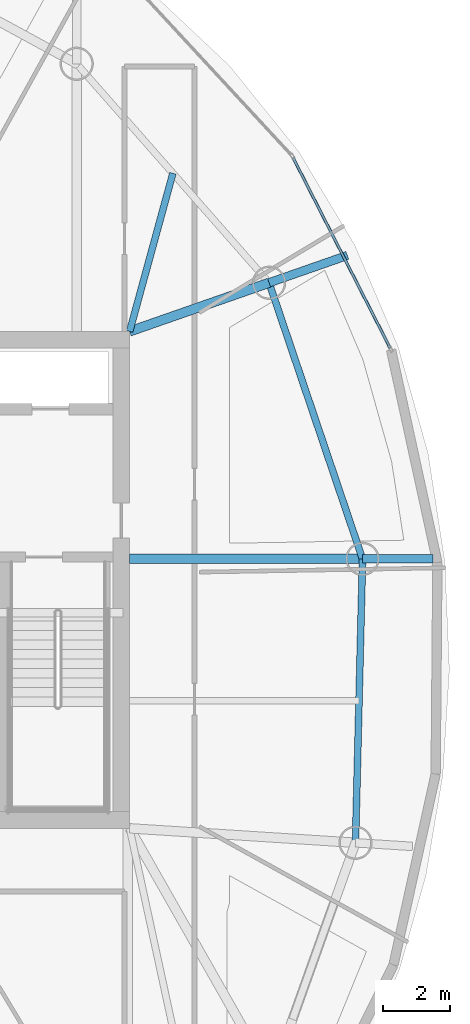
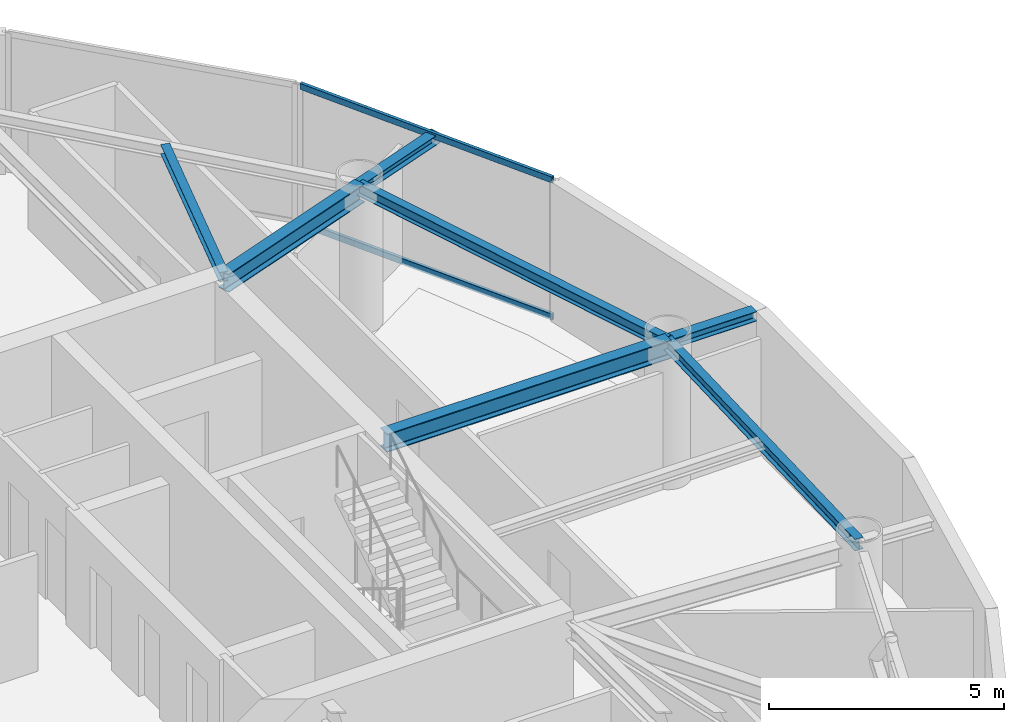
# One storey, part 10 of 22: 7 beams, 2 members, 1 element without a shape of its own.
"""IFC4 building model written with IfcOpenShell, lengths in metres."""

from ifc_helpers import new_model, si_unit, direction, frame, origin, origin_2d, place, context, subcontext, project, spatial, hollow_rectangle, i_section, extrude, material, layer, layer_set, material_profile, profile_set, type_object, element, aggregate, save


model = new_model("IFC4")

# Units and contexts
model_context = context("Model", 3, precision=1e-05, world=origin(), true_north=direction((0.0, 1.0)))
body_context = subcontext(model_context, "Body", "Model", "MODEL_VIEW")
ifc_project = project(units=[si_unit("LENGTHUNIT", "METRE"), si_unit("AREAUNIT", "SQUARE_METRE"), si_unit("VOLUMEUNIT", "CUBIC_METRE"), si_unit("PLANEANGLEUNIT", "RADIAN"), si_unit("MASSUNIT", "GRAM", prefix="KILO")], contexts=[model_context])

# Site, building, storey
site_placement = place(None, origin())
site = spatial("IfcSite", under=ifc_project, at=site_placement, CompositionType="ELEMENT")
building_placement = place(site_placement, origin())
building = spatial("IfcBuilding", under=site, at=building_placement, Name="Bramvorn Convention Spire", CompositionType="ELEMENT")
storey_placement = place(building_placement, frame((0.0, 0.0, 253.60009765625)))
storey = spatial("IfcBuildingStorey", under=building, at=storey_placement, Name="L64", CompositionType="ELEMENT", Elevation=253.60009765625)

# Beams
ifc_material_1 = material(Name="Steel CSA G40.21 Grade 350 (350W)", Category="steel")
ifc_material_profile_1 = material_profile(ifc_material_1, i_section(OverallWidth=0.201904296875, OverallDepth=0.2470703125, WebThickness=0.00732421875, FlangeThickness=0.010986328125, FilletRadius=0.011962890625, at=origin_2d()))
ifc_profile_set_1 = profile_set([ifc_material_profile_1], Name="Steel CSA G40.21 Grade 350 (350W) - W250X49")
beam_type_1 = type_object("IfcBeamType", Name="BM-W250X49", PredefinedType="JOIST", material=ifc_profile_set_1)
beam_1_placement = place(storey_placement, frame((49.25, 33.449951171875, 3.50146484375), z_axis=(0.26386506219, 0.96455960363, 0.0), x_axis=(-0.96455960363, 0.26386506219, 0.0)))
element("IfcBeam", 1, at=beam_1_placement, inside=storey, type_object=beam_type_1, Name="L64 composite floor joist 05", PredefinedType="JOIST", context=body_context, shape_type="SweptSolid", body=[
    extrude(i_section(OverallWidth=0.201904296875, OverallDepth=0.2470703125, WebThickness=0.00732421875, FlangeThickness=0.010986328125, FilletRadius=0.011962890625, at=origin_2d()), origin(), (0.0, 0.0, 1.0), 4.917724609375),
])
ifc_material_profile_2 = material_profile(ifc_material_1, i_section(OverallWidth=0.25390625, OverallDepth=0.2529296875, WebThickness=0.008544921875, FlangeThickness=0.01416015625, FilletRadius=0.011962890625, at=origin_2d()))
ifc_profile_set_2 = profile_set([ifc_material_profile_2], Name="Steel CSA G40.21 Grade 350 (350W) - W250X73")
beam_type_2 = type_object("IfcBeamType", Name="BM-W250X73", PredefinedType="BEAM", material=ifc_profile_set_2)
beam_2_placement = place(storey_placement, frame((56.234619140625, 26.62939453125, 3.498291015625), z_axis=(1.0, 0.0, 0.0), x_axis=(0.0, 1.0, 0.0)))
element("IfcBeam", 2, at=beam_2_placement, inside=storey, type_object=beam_type_2, Name="L64 slab-edge cantilever tip beam MC04", PredefinedType="BEAM", context=body_context, shape_type="SweptSolid", body=[
    extrude(i_section(OverallWidth=0.25390625, OverallDepth=0.2529296875, WebThickness=0.008544921875, FlangeThickness=0.01416015625, FilletRadius=0.011962890625, at=origin_2d()), origin(), (0.0, 0.0, 1.0), 2.117431640625),
])
beam_3_placement = place(storey_placement, frame((53.4326171875, 34.909912109375, 3.498291015625), z_axis=(0.944118440842, 0.329606385955, 0.0), x_axis=(-0.329606385955, 0.944118440842, 0.0)))
element("IfcBeam", 3, at=beam_3_placement, inside=storey, type_object=beam_type_2, Name="L64 slab-edge cantilever tip beam MC05", PredefinedType="BEAM", context=body_context, shape_type="SweptSolid", body=[
    extrude(i_section(OverallWidth=0.25390625, OverallDepth=0.2529296875, WebThickness=0.008544921875, FlangeThickness=0.01416015625, FilletRadius=0.011962890625, at=origin_2d()), origin(), (0.0, 0.0, 1.0), 2.485107421875),
])
ifc_material_profile_3 = material_profile(ifc_material_1, i_section(OverallWidth=0.202880859375, OverallDepth=0.302978515625, WebThickness=0.007568359375, FlangeThickness=0.01318359375, FilletRadius=0.013916015625, at=origin_2d()))
ifc_profile_set_3 = profile_set([ifc_material_profile_3], Name="Steel CSA G40.21 Grade 350 (350W) - W310X60")
beam_type_3 = type_object("IfcBeamType", Name="BM-W310X60", PredefinedType="JOIST", material=ifc_profile_set_3)
beam_4_placement = place(storey_placement, frame((56.023681640625, 18.116455078125, 3.473388671875), z_axis=(0.024770853371, 0.999693155335, 0.0), x_axis=(-0.999693155335, 0.024770853371, 0.0)))
element("IfcBeam", 4, at=beam_4_placement, inside=storey, type_object=beam_type_3, Name="L64 mega-column ring beam 03", PredefinedType="JOIST", context=body_context, shape_type="SweptSolid", body=[
    extrude(i_section(OverallWidth=0.202880859375, OverallDepth=0.302978515625, WebThickness=0.007568359375, FlangeThickness=0.01318359375, FilletRadius=0.013916015625, at=origin_2d()), origin(), (0.0, 0.0, 1.0), 8.515625),
])
beam_5_placement = place(storey_placement, frame((56.234619140625, 26.62939453125, 3.473388671875), z_axis=(-0.320531023763, 0.947238018032, 0.0), x_axis=(-0.947238018032, -0.320531023763, 0.0)))
element("IfcBeam", 5, at=beam_5_placement, inside=storey, type_object=beam_type_3, Name="L64 mega-column ring beam 04", PredefinedType="JOIST", context=body_context, shape_type="SweptSolid", body=[
    extrude(i_section(OverallWidth=0.202880859375, OverallDepth=0.302978515625, WebThickness=0.007568359375, FlangeThickness=0.01318359375, FilletRadius=0.013916015625, at=origin_2d()), origin(), (0.0, 0.0, 1.0), 8.74169921875),
])
ifc_material_profile_4 = material_profile(ifc_material_1, i_section(OverallWidth=0.283935546875, OverallDepth=0.47607421875, WebThickness=0.014892578125, FlangeThickness=0.02392578125, FilletRadius=0.01806640625, at=origin_2d()))
ifc_profile_set_4 = profile_set([ifc_material_profile_4], Name="Steel CSA G40.21 Grade 350 (350W) - W460X158")
beam_type_4 = type_object("IfcBeamType", Name="BM-W460X158", PredefinedType="SPANDREL", material=ifc_profile_set_4)
beam_6_placement = place(storey_placement, frame((49.25, 26.62939453125, 3.386962890625), z_axis=(1.0, 0.0, 0.0), x_axis=(0.0, 1.0, 0.0)))
element("IfcBeam", 6, at=beam_6_placement, inside=storey, type_object=beam_type_4, Name="L64 radial floor girder MC04", PredefinedType="SPANDREL", context=body_context, shape_type="SweptSolid", body=[
    extrude(i_section(OverallWidth=0.283935546875, OverallDepth=0.47607421875, WebThickness=0.014892578125, FlangeThickness=0.02392578125, FilletRadius=0.01806640625, at=origin_2d()), origin(), (0.0, 0.0, 1.0), 6.984619140625),
])
beam_7_placement = place(storey_placement, frame((49.25, 33.449951171875, 3.386962890625), z_axis=(0.944136391877, 0.329554962843, 0.0), x_axis=(-0.329554962843, 0.944136391877, 0.0)))
element("IfcBeam", 7, at=beam_7_placement, inside=storey, type_object=beam_type_4, Name="L64 radial floor girder MC05", PredefinedType="SPANDREL", context=body_context, shape_type="SweptSolid", body=[
    extrude(i_section(OverallWidth=0.283935546875, OverallDepth=0.47607421875, WebThickness=0.014892578125, FlangeThickness=0.02392578125, FilletRadius=0.01806640625, at=origin_2d()), origin(), (0.0, 0.0, 1.0), 4.43017578125),
])

# Curtain wall, members
ifc_material_2 = material(Name="Anodised Bronze Unitised Curtain Wall", Category="aluminium")
ifc_layer = layer(ifc_material_2, 0.179931640625)
ifc_layer_set = layer_set([ifc_layer], Name="Anodised Bronze Unitised Curtain Wall - CW-OFF-FRIT")
curtain_wall_type = type_object("IfcCurtainWallType", Name="CW-OFF-FRIT", PredefinedType="USERDEFINED", material=ifc_layer_set)
curtain_wall_placement = place(storey_placement, origin())
curtain_wall = element("IfcCurtainWall", 8, at=curtain_wall_placement, inside=storey, type_object=curtain_wall_type, Name="L64 fritted glass curtain wall 06", ObjectType="UNITISED CURTAIN WALL", PredefinedType="USERDEFINED")
ifc_material_3 = material(Name="Anodised Bronze Aluminium 6063-T6", Category="aluminium")
ifc_material_profile_5 = material_profile(ifc_material_3, hollow_rectangle(XDim=0.080078125, YDim=0.159912109375, WallThickness=0.00390625, InnerFilletRadius=0.0009765625, OuterFilletRadius=0.00390625, at=origin_2d()))
ifc_profile_set_5 = profile_set([ifc_material_profile_5], Name="Anodised Bronze Aluminium 6063-T6 - CWT80X160")
member_type = type_object("IfcMemberType", Name="CW-TRN-150", PredefinedType="USERDEFINED", material=ifc_profile_set_5)
member_1_placement = place(storey_placement, frame((54.15234375, 38.658935546875, 0.02978515625), z_axis=(0.454287073258, -0.890855350251, 0.0), x_axis=(0.890855350251, 0.454287073258, 0.0)))
member_1 = element("IfcMember", 9, at=member_1_placement, type_object=member_type, Name="CW3 transom 1.1", ObjectType="TRANSOM", PredefinedType="USERDEFINED", context=body_context, shape_type="SweptSolid", body=[
    extrude(hollow_rectangle(XDim=0.080078125, YDim=0.159912109375, WallThickness=0.00390625, InnerFilletRadius=0.0009765625, OuterFilletRadius=0.00390625, at=origin_2d()), origin(), (0.0, 0.0, 1.0), 6.406982421875),
])
member_2_placement = place(storey_placement, frame((54.15234375, 38.658935546875, 3.594970703125), z_axis=(0.454287073258, -0.890855350251, 0.0), x_axis=(0.890855350251, 0.454287073258, 0.0)))
member_2 = element("IfcMember", 10, at=member_2_placement, type_object=member_type, Name="CW3 transom 1.2", ObjectType="TRANSOM", PredefinedType="USERDEFINED", context=body_context, shape_type="SweptSolid", body=[
    extrude(hollow_rectangle(XDim=0.080078125, YDim=0.159912109375, WallThickness=0.00390625, InnerFilletRadius=0.0009765625, OuterFilletRadius=0.00390625, at=origin_2d()), origin(), (0.0, 0.0, 1.0), 6.406982421875),
])
aggregate(curtain_wall, [member_1, member_2])

save(model, "model.ifc")
